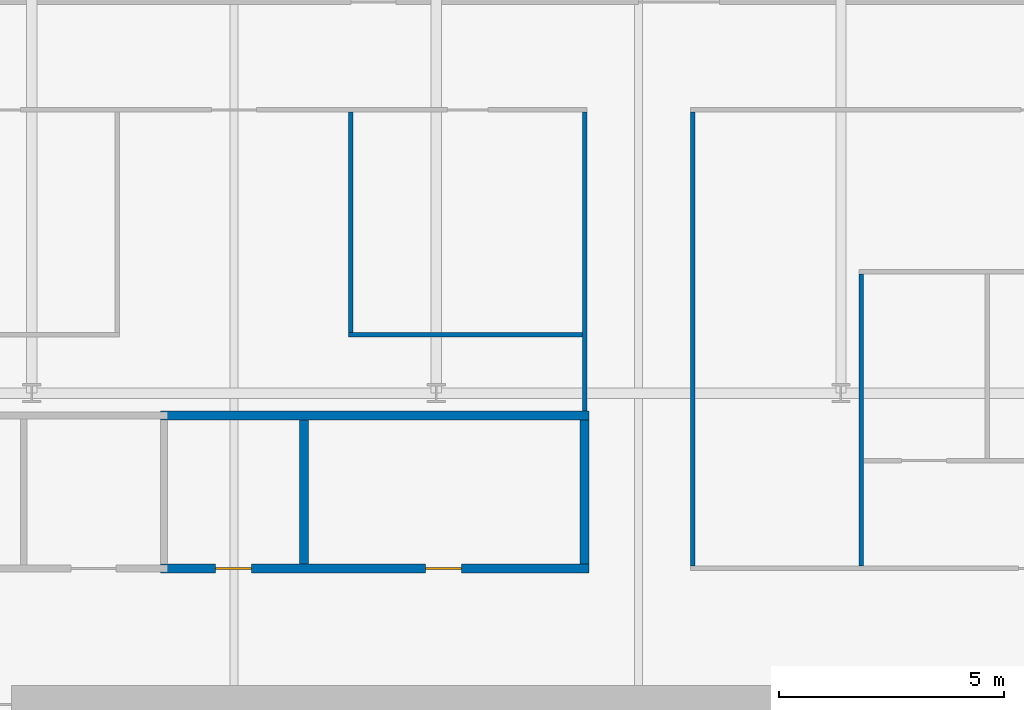
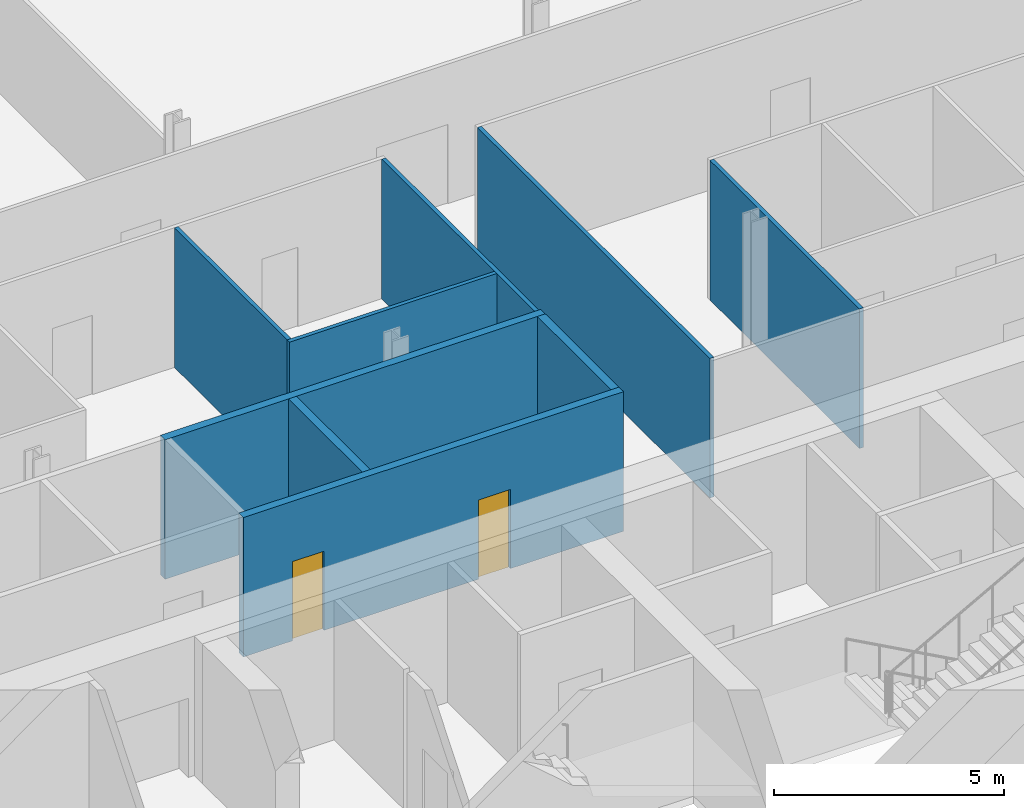
# One storey, part 6 of 11: 9 walls, 2 doors, 2 openings.
"""IFC4 building model written with IfcOpenShell, lengths in metres."""

import ifcopenshell
import ifcopenshell.guid

model = None  # the IFC model being written
_history = None  # IfcOwnerHistory: only IFC2X3 demands one
_inside = {}  # id of a spatial element -> (the spatial element, [elements in it])
_under = {}  # id of a project, library or spatial element -> (it, [spatial elements below it])
_declared = {}  # id of a project -> (the project, [libraries it declares])
_typed = {}  # id of a type object -> (the type object, [elements of that type])
_made_of = {}  # id of a material, layer set ... -> (it, [elements and type objects made of it])


def new_model(schema):
    """Start an empty IFC model of exactly this schema.

    Asked for "IFC4X3", IfcOpenShell would pick the latest addendum, in which some entities
    have other attributes; the version numbers below select the first issue.
    IFC2X3 requires an IfcOwnerHistory on every rooted entity: one is made here for all.
    """
    global model, _history
    if schema == "IFC4X3":
        model = ifcopenshell.file(schema_version=(4, 3, 0, 0))
    else:
        model = ifcopenshell.file(schema=schema)
    _inside.clear()
    _under.clear()
    _declared.clear()
    _typed.clear()
    _made_of.clear()
    _history = None
    if model.schema == "IFC2X3":
        org = make("IfcOrganization", Name="unknown")
        user = make(
            "IfcPersonAndOrganization",
            ThePerson=make("IfcPerson", FamilyName="unknown"),
            TheOrganization=org,
        )
        app = make(
            "IfcApplication",
            ApplicationDeveloper=org,
            Version="unknown",
            ApplicationFullName="unknown",
            ApplicationIdentifier="unknown",
        )
        _history = make(
            "IfcOwnerHistory",
            OwningUser=user,
            OwningApplication=app,
            ChangeAction="ADDED",
            CreationDate=0,
        )
    return model


def make(cls, **values):
    """One entity of the class cls with the attributes given. An attribute that is None is left unset."""
    return model.create_entity(
        cls, **{name: value for name, value in values.items() if value is not None}
    )


def rooted(cls, **values):
    """An entity with a GlobalId (a new one), such as an element, a storey or a relation."""
    return make(cls, GlobalId=ifcopenshell.guid.new(), OwnerHistory=_history, **values)


def si_unit(unit_type, name, prefix=None):
    """IfcSIUnit, for example si_unit("LENGTHUNIT", "METRE", prefix="MILLI")."""
    return make("IfcSIUnit", UnitType=unit_type, Prefix=prefix, Name=name)


def assignment(units):
    """IfcUnitAssignment: the units of a project."""
    return None if units is None else make("IfcUnitAssignment", Units=units)


def point(xyz):
    """IfcCartesianPoint."""
    return None if xyz is None else make("IfcCartesianPoint", Coordinates=xyz)


def direction(xyz):
    """IfcDirection."""
    return None if xyz is None else make("IfcDirection", DirectionRatios=xyz)


def frame(location, z_axis=None, x_axis=None):
    """IfcAxis2Placement3D, a coordinate frame: its origin and axes. An axis left out is left unset."""
    return make(
        "IfcAxis2Placement3D",
        Location=point(location),
        Axis=direction(z_axis),
        RefDirection=direction(x_axis),
    )


def frame_2d(location, x_axis=None):
    """IfcAxis2Placement2D, a coordinate frame in the plane: its origin and x axis."""
    return make(
        "IfcAxis2Placement2D", Location=point(location), RefDirection=direction(x_axis)
    )


def origin():
    """The frame at (0, 0, 0) with its axes left unset."""
    return frame((0.0, 0.0, 0.0))


def place(relative_to, where):
    """IfcLocalPlacement: puts the frame where relative to a parent placement (None: the world)."""
    return make(
        "IfcLocalPlacement", PlacementRelTo=relative_to, RelativePlacement=where
    )


def context(
    kind, dimensions, precision=None, world=None, true_north=None, identifier=None
):
    """IfcGeometricRepresentationContext, for example the 3D "Model" context."""
    return make(
        "IfcGeometricRepresentationContext",
        ContextIdentifier=identifier,
        ContextType=kind,
        CoordinateSpaceDimension=dimensions,
        Precision=precision,
        WorldCoordinateSystem=world,
        TrueNorth=true_north,
    )


def subcontext(parent, identifier, kind, view, scale=None):
    """IfcGeometricRepresentationSubContext, for example "Body" below "Model"."""
    return make(
        "IfcGeometricRepresentationSubContext",
        ContextIdentifier=identifier,
        ContextType=kind,
        ParentContext=parent,
        TargetScale=scale,
        TargetView=view,
    )


def project(units=None, contexts=None):
    """IfcProject with its units and contexts."""
    return rooted(
        "IfcProject",
        Name="project",
        RepresentationContexts=contexts,
        UnitsInContext=assignment(units),
    )


def spatial(cls, under=None, at=None, **own):
    """A site, building, storey or space (cls), placed at a placement, below another one or the project."""
    s = rooted(cls, ObjectPlacement=at, **own)
    if under is not None:
        _under.setdefault(under.id(), (under, []))[1].append(s)
    return s


def profile(cls, at=None, kind="AREA", **sizes):
    """A parametric profile (cls). Its sizes go by their IFC names, for example OverallWidth=200.0."""
    return make(cls, ProfileType=kind, Position=at, **sizes)


def rectangle(**sizes):
    """IfcRectangleProfileDef."""
    return profile("IfcRectangleProfileDef", **sizes)


def extrude(swept, where, along, depth):
    """IfcExtrudedAreaSolid: the profile swept, set in the frame where, extruded along a direction by depth."""
    return make(
        "IfcExtrudedAreaSolid",
        SweptArea=swept,
        Position=where,
        ExtrudedDirection=direction(along),
        Depth=depth,
    )


def shape(context_of_items, identifier, shape_type, items):
    """IfcShapeRepresentation: the items that make up one representation, for example the "Body"."""
    return make(
        "IfcShapeRepresentation",
        ContextOfItems=context_of_items,
        RepresentationIdentifier=identifier,
        RepresentationType=shape_type,
        Items=items,
    )


def material(Name=None, Category=None):
    """IfcMaterial."""
    return make("IfcMaterial", Name=Name, Category=Category)


def layer(
    of_material, thickness, ventilated=None, Name=None, Category=None, Priority=None
):
    """IfcMaterialLayer: one layer of a wall or slab, of a material (None: an air gap)."""
    return make(
        "IfcMaterialLayer",
        Material=of_material,
        LayerThickness=thickness,
        IsVentilated=ventilated,
        Name=Name,
        Category=Category,
        Priority=Priority,
    )


def layer_set(layers, Name=None):
    """IfcMaterialLayerSet."""
    return make("IfcMaterialLayerSet", MaterialLayers=layers, LayerSetName=Name)


def made_of(thing, what):
    """Note that an element or type object is made of a material, layer set ...; save() writes the relation."""
    if what is not None:
        _made_of.setdefault(what.id(), (what, []))[1].append(thing)
    return thing


def type_object(cls, material=None, **own):
    """A type object (cls), such as IfcWallType, which elements share."""
    return made_of(rooted(cls, **own), material)


def element(
    cls,
    number,
    at=None,
    inside=None,
    cuts=None,
    type_object=None,
    material=None,
    context=None,
    identifier="Body",
    shape_type=None,
    held_by="IfcProductDefinitionShape",
    body=None,
    shapes=None,
    **own,
):
    """One element of the class cls, such as IfcWall. Its Tag is "e" and its number.

    at: its placement. inside: the storey or other place that contains it. cuts: it is an
    opening in that element (IfcRelVoidsElement). A single representation is given by context,
    identifier, shape_type and body (its items); several are given by shapes. held_by: the class
    of the entity that holds the representations. save() writes the other relations.
    """
    e = rooted(cls, Tag="e%d" % number, ObjectPlacement=at, **own)
    if body is not None:
        shapes = [shape(context, identifier, shape_type, body)]
    if shapes is not None:
        e.Representation = make(held_by, Representations=shapes)
    if inside is not None:
        _inside.setdefault(inside.id(), (inside, []))[1].append(e)
    if cuts is not None:
        rooted(
            "IfcRelVoidsElement", RelatingBuildingElement=cuts, RelatedOpeningElement=e
        )
    if type_object is not None:
        _typed.setdefault(type_object.id(), (type_object, []))[1].append(e)
    return made_of(e, material)


def fill(opening, filler):
    """IfcRelFillsElement: the door or window that sits in an opening."""
    return rooted(
        "IfcRelFillsElement",
        RelatingOpeningElement=opening,
        RelatedBuildingElement=filler,
    )


def aggregate(whole, parts):
    """IfcRelAggregates: a whole, such as a stair, and the parts it consists of."""
    return rooted("IfcRelAggregates", RelatingObject=whole, RelatedObjects=parts)


def save(model, path):
    """Write the relations noted so far, then the file.

    IfcRelAggregates (storeys below a building ...), IfcRelContainedInSpatialStructure (elements
    in a storey), IfcRelDefinesByType, IfcRelAssociatesMaterial and IfcRelDeclares: one each for
    every whole, place, type object, material and project.
    """
    for whole, parts in _under.values():
        aggregate(whole, parts)
    for where, things in _inside.values():
        rooted(
            "IfcRelContainedInSpatialStructure",
            RelatedElements=things,
            RelatingStructure=where,
        )
    for kind, things in _typed.values():
        rooted("IfcRelDefinesByType", RelatedObjects=things, RelatingType=kind)
    for what, things in _made_of.values():
        rooted("IfcRelAssociatesMaterial", RelatedObjects=things, RelatingMaterial=what)
    for by, libraries in _declared.values():
        rooted("IfcRelDeclares", RelatingContext=by, RelatedDefinitions=libraries)
    model.write(path)


model = new_model("IFC4")

# Units and contexts
model_context = context("Model", 3, precision=1e-05, world=origin(), true_north=direction((0.0, 1.0)))
body_context = subcontext(model_context, "Body", "Model", "MODEL_VIEW")
ifc_project = project(units=[si_unit("LENGTHUNIT", "METRE"), si_unit("AREAUNIT", "SQUARE_METRE"), si_unit("VOLUMEUNIT", "CUBIC_METRE"), si_unit("PLANEANGLEUNIT", "RADIAN"), si_unit("MASSUNIT", "GRAM", prefix="KILO")], contexts=[model_context])

# Site, building, storey
site_placement = place(None, origin())
site = spatial("IfcSite", under=ifc_project, at=site_placement, CompositionType="ELEMENT")
building_placement = place(site_placement, origin())
building = spatial("IfcBuilding", under=site, at=building_placement, Name="Zellij Exchange Tower", CompositionType="ELEMENT")
storey_placement = place(building_placement, frame((0.0, 0.0, 208.5)))
storey = spatial("IfcBuildingStorey", under=building, at=storey_placement, Name="L48", CompositionType="ELEMENT", Elevation=208.5)

# Wall, openings, doors
ifc_material_1 = material(Name="Blockwork partition", Category="masonry")
ifc_layer_1 = layer(ifc_material_1, 0.199951171875)
ifc_layer_set_1 = layer_set([ifc_layer_1], Name="Blockwork partition")
wall_type_1 = type_object("IfcWallType", Name="FIT-BLOCKWORK-200", PredefinedType="PARTITIONING", material=ifc_layer_set_1)
wall_1_placement = place(storey_placement, frame((-6.135009765625, 0.60009765625, 0.0), z_axis=(0.0, 0.0, 1.0), x_axis=(1.0, 0.0, 0.0)))
wall_1 = element("IfcWall", 1, at=wall_1_placement, inside=storey, type_object=wall_type_1, Name="FIT-BLOCKWORK-200 010", PredefinedType="PARTITIONING", context=body_context, shape_type="SweptSolid", body=[
    extrude(rectangle(XDim=9.534912109375, YDim=0.199951171875, at=frame_2d((4.767578125, 0.0))), origin(), (0.0, 0.0, 1.0), 3.699951171875),
])
opening_1_placement = place(wall_1_placement, frame((1.22509765625, 0.0, 0.0)))
opening_1 = element("IfcOpeningElement", 2, at=opening_1_placement, cuts=wall_1, Name="Opening O3E.06", PredefinedType="OPENING", context=body_context, shape_type="SweptSolid", body=[
    extrude(rectangle(XDim=0.800048828125, YDim=2.10009765625, at=frame_2d((0.39990234375, 1.050048828125))), frame((0.0, 0.11181640625, 0.0), z_axis=(0.0, -1.0, 0.0), x_axis=(1.0, 0.0, 0.0)), (0.0, 0.0, 1.0), 0.223876953125),
])
opening_2_placement = place(wall_1_placement, frame((5.89501953125, 0.0, 0.0)))
opening_2 = element("IfcOpeningElement", 3, at=opening_2_placement, cuts=wall_1, Name="Opening O3E.07", PredefinedType="OPENING", context=body_context, shape_type="SweptSolid", body=[
    extrude(rectangle(XDim=0.800048828125, YDim=2.10009765625, at=frame_2d((0.39990234375, 1.050048828125))), frame((0.0, 0.11181640625, 0.0), z_axis=(0.0, -1.0, 0.0), x_axis=(1.0, 0.0, 0.0)), (0.0, 0.0, 1.0), 0.223876953125),
])
ifc_material_2 = material(Name="Timber door set", Category="wood")
door_type = type_object("IfcDoorType", Name="FIT-D6-SERVICE-800X2100", OperationType="SINGLE_SWING_LEFT", PredefinedType="DOOR", material=ifc_material_2)
door_1_placement = place(opening_1_placement, origin())
door_1 = element("IfcDoor", 4, at=door_1_placement, inside=storey, type_object=door_type, Name="Door O3E.06", OperationType="SINGLE_SWING_RIGHT", OverallHeight=2.10009765625, OverallWidth=0.800048828125, PredefinedType="DOOR", context=body_context, shape_type="SweptSolid", body=[
    extrude(rectangle(XDim=0.800048828125, YDim=2.10009765625, at=frame_2d((0.39990234375, 1.050048828125))), frame((0.0, 0.02490234375, 0.0), z_axis=(0.0, -1.0, 0.0), x_axis=(1.0, 0.0, 0.0)), (0.0, 0.0, 1.0), 0.050048828125),
])
fill(opening_1, door_1)
door_2_placement = place(opening_2_placement, origin())
door_2 = element("IfcDoor", 5, at=door_2_placement, inside=storey, type_object=door_type, Name="Door O3E.07", OperationType="SINGLE_SWING_RIGHT", OverallHeight=2.10009765625, OverallWidth=0.800048828125, PredefinedType="DOOR", context=body_context, shape_type="SweptSolid", body=[
    extrude(rectangle(XDim=0.800048828125, YDim=2.10009765625, at=frame_2d((0.39990234375, 1.050048828125))), frame((0.0, 0.02490234375, 0.0), z_axis=(0.0, -1.0, 0.0), x_axis=(1.0, 0.0, 0.0)), (0.0, 0.0, 1.0), 0.050048828125),
])
fill(opening_2, door_2)

# Walls
for number, where, z_axis, x_axis, name in (
    (6, (-2.93994140625, 0.699951171875, 0.0), (0.0, 0.0, 1.0), (0.0, 1.0, 0.0), "FIT-BLOCKWORK-200 012"),
    (7, (3.300048828125, 0.699951171875, 0.0), (0.0, 0.0, 1.0), (0.0, 1.0, 0.0), "FIT-BLOCKWORK-200 013"),
):
    element("IfcWall", number, at=place(storey_placement, frame(where, z_axis=z_axis, x_axis=x_axis)), inside=storey, type_object=wall_type_1, Name=name, PredefinedType="PARTITIONING", context=body_context, shape_type="SweptSolid", body=[
        extrude(rectangle(XDim=3.199951171875, YDim=0.199951171875, at=frame_2d((1.60009765625, 0.0))), origin(), (0.0, 0.0, 1.0), 3.699951171875),
    ])
wall_2_placement = place(storey_placement, frame((-6.135009765625, 4.0, 0.0), z_axis=(0.0, 0.0, 1.0), x_axis=(1.0, 0.0, 0.0)))
element("IfcWall", 8, at=wall_2_placement, inside=storey, type_object=wall_type_1, Name="FIT-BLOCKWORK-200 028", PredefinedType="PARTITIONING", context=body_context, shape_type="SweptSolid", body=[
    extrude(rectangle(XDim=9.534912109375, YDim=0.199951171875, at=frame_2d((4.767578125, 0.0))), origin(), (0.0, 0.0, 1.0), 3.699951171875),
])
ifc_material_3 = material(Name="Gypsum board partition on steel studs", Category="steel")
ifc_layer_2 = layer(ifc_material_3, 0.10009765625)
ifc_layer_set_2 = layer_set([ifc_layer_2], Name="Gypsum board partition on steel studs")
wall_type_2 = type_object("IfcWallType", Name="FIT-PARTITION-100", PredefinedType="PARTITIONING", material=ifc_layer_set_2)
wall_3_placement = place(storey_placement, frame((5.699951171875, 0.64990234375, 0.0), z_axis=(0.0, 0.0, 1.0), x_axis=(0.0, 1.0, 0.0)))
element("IfcWall", 9, at=wall_3_placement, inside=storey, type_object=wall_type_2, Name="FIT-PARTITION-100 015", PredefinedType="PARTITIONING", context=body_context, shape_type="SweptSolid", body=[
    extrude(rectangle(XDim=10.10009765625, YDim=0.10009765625, at=frame_2d((5.050048828125, 0.0))), origin(), (0.0, 0.0, 1.0), 3.699951171875),
])
wall_4_placement = place(storey_placement, frame((9.449951171875, 0.64990234375, 0.0), z_axis=(0.0, 0.0, 1.0), x_axis=(0.0, 1.0, 0.0)))
element("IfcWall", 10, at=wall_4_placement, inside=storey, type_object=wall_type_2, Name="FIT-PARTITION-100 016", PredefinedType="PARTITIONING", context=body_context, shape_type="SweptSolid", body=[
    extrude(rectangle(XDim=6.5, YDim=0.10009765625, at=frame_2d((3.25, 0.0))), origin(), (0.0, 0.0, 1.0), 3.699951171875),
])
wall_5_placement = place(storey_placement, frame((3.300048828125, 4.10009765625, 0.0), z_axis=(0.0, 0.0, 1.0), x_axis=(0.0, 1.0, 0.0)))
element("IfcWall", 11, at=wall_5_placement, inside=storey, type_object=wall_type_2, Name="FIT-PARTITION-100 029", PredefinedType="PARTITIONING", context=body_context, shape_type="SweptSolid", body=[
    extrude(rectangle(XDim=6.64990234375, YDim=0.10009765625, at=frame_2d((3.324951171875, 0.0))), origin(), (0.0, 0.0, 1.0), 3.699951171875),
])
wall_6_placement = place(storey_placement, frame((-1.949951171875, 5.800048828125, 0.0), z_axis=(0.0, 0.0, 1.0), x_axis=(1.0, 0.0, 0.0)))
element("IfcWall", 12, at=wall_6_placement, inside=storey, type_object=wall_type_2, Name="FIT-PARTITION-100 032", PredefinedType="PARTITIONING", context=body_context, shape_type="SweptSolid", body=[
    extrude(rectangle(XDim=5.199951171875, YDim=0.10009765625, at=frame_2d((2.60009765625, 0.0))), origin(), (0.0, 0.0, 1.0), 3.699951171875),
])
wall_7_placement = place(storey_placement, frame((-1.89990234375, 5.85009765625, 0.0), z_axis=(0.0, 0.0, 1.0), x_axis=(0.0, 1.0, 0.0)))
element("IfcWall", 13, at=wall_7_placement, inside=storey, type_object=wall_type_2, Name="FIT-PARTITION-100 033", PredefinedType="PARTITIONING", context=body_context, shape_type="SweptSolid", body=[
    extrude(rectangle(XDim=4.89990234375, YDim=0.10009765625, at=frame_2d((2.449951171875, 0.0))), origin(), (0.0, 0.0, 1.0), 3.699951171875),
])

save(model, "model.ifc")
